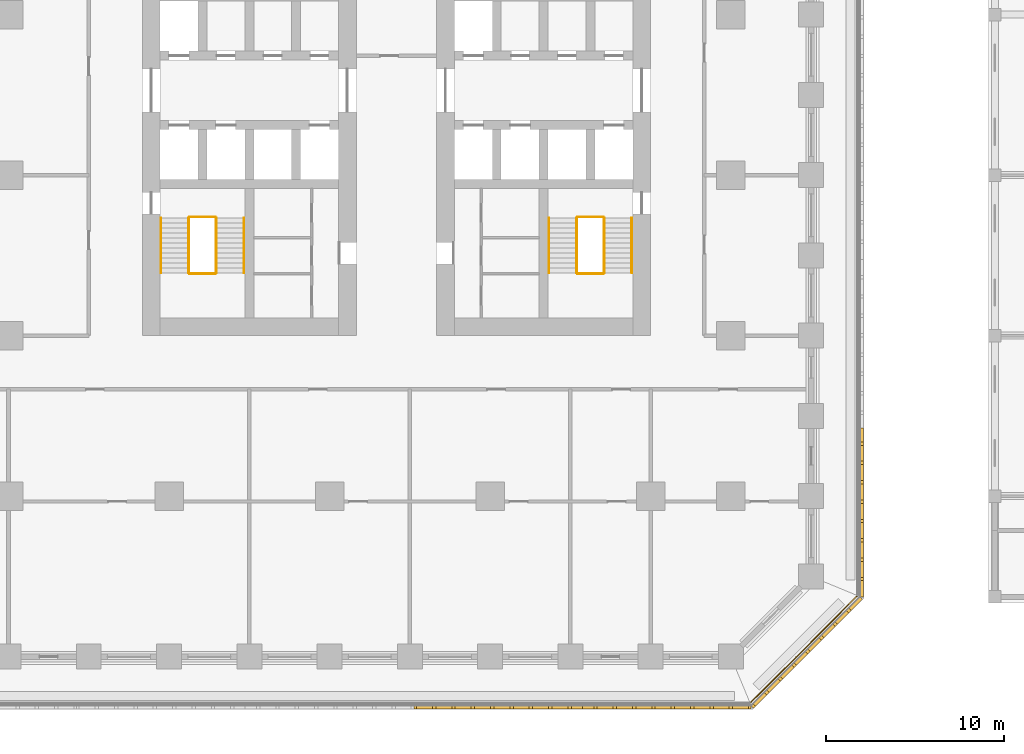
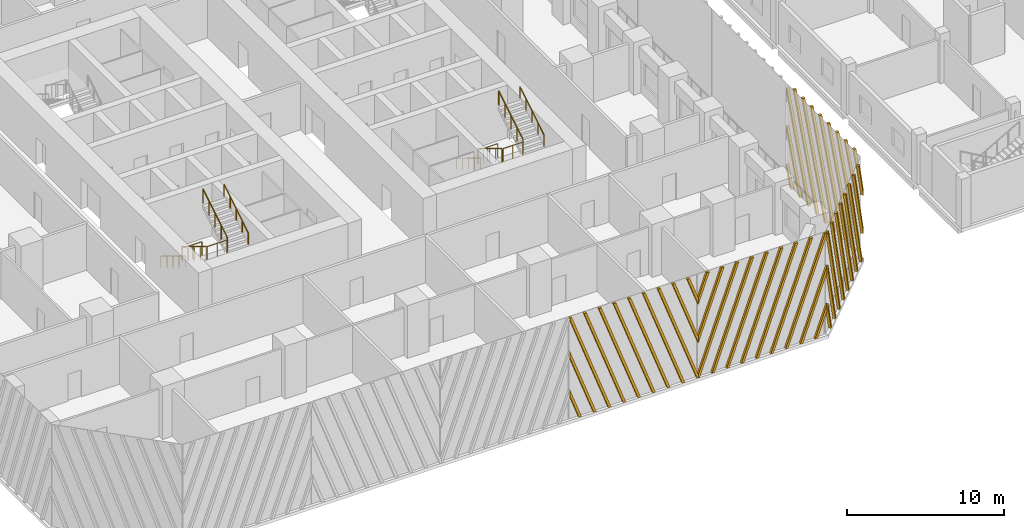
# One storey, part 22 of 31: 13 railings, 4 shading devices.
"""IFC4 building model written with IfcOpenShell, lengths in metres."""

from ifc_helpers import new_model, si_unit, direction, frame, origin, origin_2d, place, context, subcontext, project, spatial, polyline, circle, outline, extrude, source, transform, mapped, material, type_object, element, save


model = new_model("IFC4")

# Units and contexts
model_context = context("Model", 3, precision=1e-05, world=origin(), true_north=direction((0.0, 1.0)))
body_context = subcontext(model_context, "Body", "Model", "MODEL_VIEW")
ifc_project = project(units=[si_unit("LENGTHUNIT", "METRE"), si_unit("AREAUNIT", "SQUARE_METRE"), si_unit("VOLUMEUNIT", "CUBIC_METRE"), si_unit("PLANEANGLEUNIT", "RADIAN"), si_unit("MASSUNIT", "GRAM", prefix="KILO")], contexts=[model_context])

# Site, building, storey
site_placement = place(None, origin())
site = spatial("IfcSite", under=ifc_project, at=site_placement, CompositionType="ELEMENT")
building_placement = place(site_placement, origin())
building = spatial("IfcBuilding", under=site, at=building_placement, Name="Corbel Stack Research Tower", CompositionType="ELEMENT")
storey_placement = place(building_placement, frame((0.0, 0.0, 15.39990234375)))
storey = spatial("IfcBuildingStorey", under=building, at=storey_placement, Name="L03", CompositionType="ELEMENT", Elevation=15.39990234375)

# Railings
ifc_material_1 = material(Name="Steel S355", Category="steel")
railing_type_1 = type_object("IfcRailingType", Name="Stair guard 1100", PredefinedType="GUARDRAIL", material=ifc_material_1)
railing_1_placement = place(storey_placement, frame((-7.89990234375, -2.39990234375, 0.1708984375)))
element("IfcRailing", 1, at=railing_1_placement, inside=storey, type_object=railing_type_1, Name="L03 ST-W1 stair guard 1", PredefinedType="GUARDRAIL", context=body_context, shape_type="SweptSolid", body=[
    extrude(circle(Radius=0.02392578125, at=origin_2d()), frame((0.0, 0.0, 1.076171875), z_axis=(0.0, -0.853666305674, 0.52082035152), x_axis=(1.0, 0.0, 0.0)), (0.0, 0.0, 1.0), 3.608154296875),
    extrude(circle(Radius=0.02099609375, at=origin_2d()), origin(), (0.0, 0.0, 1.0), 1.052001953125),
    extrude(circle(Radius=0.02099609375, at=origin_2d()), frame((0.0, -0.77001953125, 0.4697265625)), (0.0, 0.0, 1.0), 1.052001953125),
    extrude(circle(Radius=0.02099609375, at=origin_2d()), frame((0.0, -1.5400390625, 0.939453125)), (0.0, 0.0, 1.0), 1.052001953125),
    extrude(circle(Radius=0.02099609375, at=origin_2d()), frame((0.0, -2.31005859375, 1.409423828125)), (0.0, 0.0, 1.0), 1.052001953125),
    extrude(circle(Radius=0.02099609375, at=origin_2d()), frame((0.0, -3.080078125, 1.879150390625)), (0.0, 0.0, 1.0), 1.052001953125),
])
railing_2_placement = place(storey_placement, frame((-7.85009765625, -5.530029296875, 2.050048828125)))
element("IfcRailing", 2, at=railing_2_placement, inside=storey, type_object=railing_type_1, Name="L03 ST-W1 stair guard 2", PredefinedType="GUARDRAIL", context=body_context, shape_type="SweptSolid", body=[
    extrude(circle(Radius=0.02392578125, at=origin_2d()), frame((0.0, 0.0, 1.076171875), z_axis=(1.0, 0.0, 0.0), x_axis=(0.0, 1.0, 0.0)), (0.0, 0.0, 1.0), 1.4501953125),
    extrude(circle(Radius=0.02099609375, at=origin_2d()), origin(), (0.0, 0.0, 1.0), 1.052001953125),
    extrude(circle(Radius=0.02099609375, at=origin_2d()), frame((0.72509765625, 0.0, 0.0)), (0.0, 0.0, 1.0), 1.052001953125),
    extrude(circle(Radius=0.02099609375, at=origin_2d()), frame((1.4501953125, 0.0, 0.0)), (0.0, 0.0, 1.0), 1.052001953125),
])
railing_3_placement = place(storey_placement, frame((-6.35009765625, -5.47998046875, 2.220947265625)))
element("IfcRailing", 3, at=railing_3_placement, inside=storey, type_object=railing_type_1, Name="L03 ST-W1 stair guard 3", PredefinedType="GUARDRAIL", context=body_context, shape_type="SweptSolid", body=[
    extrude(circle(Radius=0.02392578125, at=origin_2d()), frame((0.0, 0.0, 1.076171875), z_axis=(0.0, 0.853666305674, 0.52082035152), x_axis=(-1.0, 0.0, 0.0)), (0.0, 0.0, 1.0), 3.608154296875),
    extrude(circle(Radius=0.02099609375, at=origin_2d()), origin(), (0.0, 0.0, 1.0), 1.052001953125),
    extrude(circle(Radius=0.02099609375, at=origin_2d()), frame((0.0, 0.77001953125, 0.4697265625)), (0.0, 0.0, 1.0), 1.052001953125),
    extrude(circle(Radius=0.02099609375, at=origin_2d()), frame((0.0, 1.5400390625, 0.939453125)), (0.0, 0.0, 1.0), 1.052001953125),
    extrude(circle(Radius=0.02099609375, at=origin_2d()), frame((0.0, 2.31005859375, 1.409423828125)), (0.0, 0.0, 1.0), 1.052001953125),
    extrude(circle(Radius=0.02099609375, at=origin_2d()), frame((0.0, 3.080078125, 1.879150390625)), (0.0, 0.0, 1.0), 1.052001953125),
])
railing_4_placement = place(storey_placement, frame((-7.85009765625, -2.35009765625, 0.0)))
element("IfcRailing", 4, at=railing_4_placement, inside=storey, type_object=railing_type_1, Name="L03 ST-W1 stair guard 4", PredefinedType="GUARDRAIL", context=body_context, shape_type="SweptSolid", body=[
    extrude(circle(Radius=0.02392578125, at=origin_2d()), frame((0.0, 0.0, 1.076171875), z_axis=(1.0, 0.0, 0.0), x_axis=(0.0, 1.0, 0.0)), (0.0, 0.0, 1.0), 1.4501953125),
    extrude(circle(Radius=0.02099609375, at=origin_2d()), origin(), (0.0, 0.0, 1.0), 1.052001953125),
    extrude(circle(Radius=0.02099609375, at=origin_2d()), frame((0.72509765625, 0.0, 0.0)), (0.0, 0.0, 1.0), 1.052001953125),
    extrude(circle(Radius=0.02099609375, at=origin_2d()), frame((1.4501953125, 0.0, 0.0)), (0.0, 0.0, 1.0), 1.052001953125),
])
railing_5_placement = place(storey_placement, frame((13.85009765625, -2.39990234375, 0.1708984375)))
element("IfcRailing", 5, at=railing_5_placement, inside=storey, type_object=railing_type_1, Name="L03 ST-E1 stair guard 1", PredefinedType="GUARDRAIL", context=body_context, shape_type="SweptSolid", body=[
    extrude(circle(Radius=0.02392578125, at=origin_2d()), frame((0.0, 0.0, 1.076171875), z_axis=(0.0, -0.853666305674, 0.52082035152), x_axis=(1.0, 0.0, 0.0)), (0.0, 0.0, 1.0), 3.608154296875),
    extrude(circle(Radius=0.02099609375, at=origin_2d()), origin(), (0.0, 0.0, 1.0), 1.052001953125),
    extrude(circle(Radius=0.02099609375, at=origin_2d()), frame((0.0, -0.77001953125, 0.4697265625)), (0.0, 0.0, 1.0), 1.052001953125),
    extrude(circle(Radius=0.02099609375, at=origin_2d()), frame((0.0, -1.5400390625, 0.939453125)), (0.0, 0.0, 1.0), 1.052001953125),
    extrude(circle(Radius=0.02099609375, at=origin_2d()), frame((0.0, -2.31005859375, 1.409423828125)), (0.0, 0.0, 1.0), 1.052001953125),
    extrude(circle(Radius=0.02099609375, at=origin_2d()), frame((0.0, -3.080078125, 1.879150390625)), (0.0, 0.0, 1.0), 1.052001953125),
])
railing_6_placement = place(storey_placement, frame((13.89990234375, -5.530029296875, 2.050048828125)))
element("IfcRailing", 6, at=railing_6_placement, inside=storey, type_object=railing_type_1, Name="L03 ST-E1 stair guard 2", PredefinedType="GUARDRAIL", context=body_context, shape_type="SweptSolid", body=[
    extrude(circle(Radius=0.02392578125, at=origin_2d()), frame((0.0, 0.0, 1.076171875), z_axis=(1.0, 0.0, 0.0), x_axis=(0.0, 1.0, 0.0)), (0.0, 0.0, 1.0), 1.4501953125),
    extrude(circle(Radius=0.02099609375, at=origin_2d()), origin(), (0.0, 0.0, 1.0), 1.052001953125),
    extrude(circle(Radius=0.02099609375, at=origin_2d()), frame((0.72509765625, 0.0, 0.0)), (0.0, 0.0, 1.0), 1.052001953125),
    extrude(circle(Radius=0.02099609375, at=origin_2d()), frame((1.4501953125, 0.0, 0.0)), (0.0, 0.0, 1.0), 1.052001953125),
])
railing_7_placement = place(storey_placement, frame((15.39990234375, -5.47998046875, 2.220947265625)))
element("IfcRailing", 7, at=railing_7_placement, inside=storey, type_object=railing_type_1, Name="L03 ST-E1 stair guard 3", PredefinedType="GUARDRAIL", context=body_context, shape_type="SweptSolid", body=[
    extrude(circle(Radius=0.02392578125, at=origin_2d()), frame((0.0, 0.0, 1.076171875), z_axis=(0.0, 0.853666305674, 0.52082035152), x_axis=(-1.0, 0.0, 0.0)), (0.0, 0.0, 1.0), 3.608154296875),
    extrude(circle(Radius=0.02099609375, at=origin_2d()), origin(), (0.0, 0.0, 1.0), 1.052001953125),
    extrude(circle(Radius=0.02099609375, at=origin_2d()), frame((0.0, 0.77001953125, 0.4697265625)), (0.0, 0.0, 1.0), 1.052001953125),
    extrude(circle(Radius=0.02099609375, at=origin_2d()), frame((0.0, 1.5400390625, 0.939453125)), (0.0, 0.0, 1.0), 1.052001953125),
    extrude(circle(Radius=0.02099609375, at=origin_2d()), frame((0.0, 2.31005859375, 1.409423828125)), (0.0, 0.0, 1.0), 1.052001953125),
    extrude(circle(Radius=0.02099609375, at=origin_2d()), frame((0.0, 3.080078125, 1.879150390625)), (0.0, 0.0, 1.0), 1.052001953125),
])
railing_8_placement = place(storey_placement, frame((13.89990234375, -2.35009765625, 0.0)))
element("IfcRailing", 8, at=railing_8_placement, inside=storey, type_object=railing_type_1, Name="L03 ST-E1 stair guard 4", PredefinedType="GUARDRAIL", context=body_context, shape_type="SweptSolid", body=[
    extrude(circle(Radius=0.02392578125, at=origin_2d()), frame((0.0, 0.0, 1.076171875), z_axis=(1.0, 0.0, 0.0), x_axis=(0.0, 1.0, 0.0)), (0.0, 0.0, 1.0), 1.4501953125),
    extrude(circle(Radius=0.02099609375, at=origin_2d()), origin(), (0.0, 0.0, 1.0), 1.052001953125),
    extrude(circle(Radius=0.02099609375, at=origin_2d()), frame((0.72509765625, 0.0, 0.0)), (0.0, 0.0, 1.0), 1.052001953125),
    extrude(circle(Radius=0.02099609375, at=origin_2d()), frame((1.4501953125, 0.0, 0.0)), (0.0, 0.0, 1.0), 1.052001953125),
])
ifc_material_2 = material(Name="Steel S355", Category="steel")
railing_type_2 = type_object("IfcRailingType", Name="Stair handrail 900", PredefinedType="HANDRAIL", material=ifc_material_2)
railing_9_placement = place(storey_placement, frame((-9.449951171875, -2.39990234375, 0.1708984375)))
element("IfcRailing", 9, at=railing_9_placement, inside=storey, type_object=railing_type_2, Name="L03 ST-W1 stair handrail 1", PredefinedType="HANDRAIL", context=body_context, shape_type="SweptSolid", body=[
    extrude(circle(Radius=0.02392578125, at=origin_2d()), frame((0.0, 0.0, 0.8759765625), z_axis=(0.0, -0.853666305674, 0.52082035152), x_axis=(1.0, 0.0, 0.0)), (0.0, 0.0, 1.0), 3.608154296875),
    extrude(circle(Radius=0.02099609375, at=origin_2d()), origin(), (0.0, 0.0, 1.0), 0.851806640625),
    extrude(circle(Radius=0.02099609375, at=origin_2d()), frame((0.0, -0.77001953125, 0.4697265625)), (0.0, 0.0, 1.0), 0.851806640625),
    extrude(circle(Radius=0.02099609375, at=origin_2d()), frame((0.0, -1.5400390625, 0.939453125)), (0.0, 0.0, 1.0), 0.851806640625),
    extrude(circle(Radius=0.02099609375, at=origin_2d()), frame((0.0, -2.31005859375, 1.409423828125)), (0.0, 0.0, 1.0), 0.851806640625),
    extrude(circle(Radius=0.02099609375, at=origin_2d()), frame((0.0, -3.080078125, 1.879150390625)), (0.0, 0.0, 1.0), 0.851806640625),
])
railing_10_placement = place(storey_placement, frame((-4.800048828125, -5.47998046875, 2.220947265625)))
element("IfcRailing", 10, at=railing_10_placement, inside=storey, type_object=railing_type_2, Name="L03 ST-W1 stair handrail 2", PredefinedType="HANDRAIL", context=body_context, shape_type="SweptSolid", body=[
    extrude(circle(Radius=0.02392578125, at=origin_2d()), frame((0.0, 0.0, 0.8759765625), z_axis=(0.0, 0.853666305674, 0.52082035152), x_axis=(-1.0, 0.0, 0.0)), (0.0, 0.0, 1.0), 3.608154296875),
    extrude(circle(Radius=0.02099609375, at=origin_2d()), origin(), (0.0, 0.0, 1.0), 0.851806640625),
    extrude(circle(Radius=0.02099609375, at=origin_2d()), frame((0.0, 0.77001953125, 0.4697265625)), (0.0, 0.0, 1.0), 0.851806640625),
    extrude(circle(Radius=0.02099609375, at=origin_2d()), frame((0.0, 1.5400390625, 0.939453125)), (0.0, 0.0, 1.0), 0.851806640625),
    extrude(circle(Radius=0.02099609375, at=origin_2d()), frame((0.0, 2.31005859375, 1.409423828125)), (0.0, 0.0, 1.0), 0.851806640625),
    extrude(circle(Radius=0.02099609375, at=origin_2d()), frame((0.0, 3.080078125, 1.879150390625)), (0.0, 0.0, 1.0), 0.851806640625),
])
railing_11_placement = place(storey_placement, frame((12.300048828125, -2.39990234375, 0.1708984375)))
element("IfcRailing", 11, at=railing_11_placement, inside=storey, type_object=railing_type_2, Name="L03 ST-E1 stair handrail 1", PredefinedType="HANDRAIL", context=body_context, shape_type="SweptSolid", body=[
    extrude(circle(Radius=0.02392578125, at=origin_2d()), frame((0.0, 0.0, 0.8759765625), z_axis=(0.0, -0.853666305674, 0.52082035152), x_axis=(1.0, 0.0, 0.0)), (0.0, 0.0, 1.0), 3.608154296875),
    extrude(circle(Radius=0.02099609375, at=origin_2d()), origin(), (0.0, 0.0, 1.0), 0.851806640625),
    extrude(circle(Radius=0.02099609375, at=origin_2d()), frame((0.0, -0.77001953125, 0.4697265625)), (0.0, 0.0, 1.0), 0.851806640625),
    extrude(circle(Radius=0.02099609375, at=origin_2d()), frame((0.0, -1.5400390625, 0.939453125)), (0.0, 0.0, 1.0), 0.851806640625),
    extrude(circle(Radius=0.02099609375, at=origin_2d()), frame((0.0, -2.31005859375, 1.409423828125)), (0.0, 0.0, 1.0), 0.851806640625),
    extrude(circle(Radius=0.02099609375, at=origin_2d()), frame((0.0, -3.080078125, 1.879150390625)), (0.0, 0.0, 1.0), 0.851806640625),
])
railing_12_placement = place(storey_placement, frame((16.949951171875, -5.47998046875, 2.220947265625)))
element("IfcRailing", 12, at=railing_12_placement, inside=storey, type_object=railing_type_2, Name="L03 ST-E1 stair handrail 2", PredefinedType="HANDRAIL", context=body_context, shape_type="SweptSolid", body=[
    extrude(circle(Radius=0.02392578125, at=origin_2d()), frame((0.0, 0.0, 0.8759765625), z_axis=(0.0, 0.853666305674, 0.52082035152), x_axis=(-1.0, 0.0, 0.0)), (0.0, 0.0, 1.0), 3.608154296875),
    extrude(circle(Radius=0.02099609375, at=origin_2d()), origin(), (0.0, 0.0, 1.0), 0.851806640625),
    extrude(circle(Radius=0.02099609375, at=origin_2d()), frame((0.0, 0.77001953125, 0.4697265625)), (0.0, 0.0, 1.0), 0.851806640625),
    extrude(circle(Radius=0.02099609375, at=origin_2d()), frame((0.0, 1.5400390625, 0.939453125)), (0.0, 0.0, 1.0), 0.851806640625),
    extrude(circle(Radius=0.02099609375, at=origin_2d()), frame((0.0, 2.31005859375, 1.409423828125)), (0.0, 0.0, 1.0), 0.851806640625),
    extrude(circle(Radius=0.02099609375, at=origin_2d()), frame((0.0, 3.080078125, 1.879150390625)), (0.0, 0.0, 1.0), 0.851806640625),
])
ifc_material_3 = material(Name="Powder-coated steel guard", Category="steel")
railing_type_3 = type_object("IfcRailingType", Name="Steel and glass guard 1100", PredefinedType="GUARDRAIL", material=ifc_material_3)
railing_13_placement = place(storey_placement, frame((23.627685546875, -29.54931640625, 0.0)))
element("IfcRailing", 13, at=railing_13_placement, inside=storey, type_object=railing_type_3, Name="Loggia guard L03 SE", PredefinedType="GUARDRAIL", context=body_context, shape_type="SweptSolid", body=[
    extrude(circle(Radius=0.02392578125, at=origin_2d()), frame((0.0, 0.0, 1.076171875), z_axis=(0.707106781187, 0.707106781187, 0.0), x_axis=(-0.707106781187, 0.707106781187, 0.0)), (0.0, 0.0, 1.0), 8.37451171875),
    extrude(circle(Radius=0.02099609375, at=origin_2d()), origin(), (0.0, 0.0, 1.0), 1.052001953125),
    extrude(circle(Radius=0.02099609375, at=origin_2d()), frame((0.845947265625, 0.845947265625, 0.0)), (0.0, 0.0, 1.0), 1.052001953125),
    extrude(circle(Radius=0.02099609375, at=origin_2d()), frame((1.69189453125, 1.69189453125, 0.0)), (0.0, 0.0, 1.0), 1.052001953125),
    extrude(circle(Radius=0.02099609375, at=origin_2d()), frame((2.537841796875, 2.537841796875, 0.0)), (0.0, 0.0, 1.0), 1.052001953125),
    extrude(circle(Radius=0.02099609375, at=origin_2d()), frame((3.3837890625, 3.3837890625, 0.0)), (0.0, 0.0, 1.0), 1.052001953125),
    extrude(circle(Radius=0.02099609375, at=origin_2d()), frame((4.229736328125, 4.229736328125, 0.0)), (0.0, 0.0, 1.0), 1.052001953125),
    extrude(circle(Radius=0.02099609375, at=origin_2d()), frame((5.07568359375, 5.07568359375, 0.0)), (0.0, 0.0, 1.0), 1.052001953125),
    extrude(circle(Radius=0.02099609375, at=origin_2d()), frame((5.921630859375, 5.921630859375, 0.0)), (0.0, 0.0, 1.0), 1.052001953125),
])

# Shading devices
ifc_material_4 = material(Name="Precast terracotta", Category="masonry")
shading_device_type = type_object("IfcShadingDeviceType", Name="Terracotta screen panel", PredefinedType="USERDEFINED", material=ifc_material_4)
shared_shape_1 = source(origin(), body_context, "Body", "SweptSolid", [
    extrude(outline(polyline([(0.819091796875, 7.949951171875), (0.629150390625, 7.949951171875), (0.0, 6.22119140625), (0.0, 5.69921875), (0.819091796875, 7.949951171875)])), frame((0.0, 0.0, 0.0), z_axis=(0.0, -1.0, 0.0), x_axis=(1.0, 0.0, 0.0)), (0.0, 0.0, 1.0), 0.179931640625),
    extrude(outline(polyline([(1.90380859375, 7.949951171875), (1.7138671875, 7.949951171875), (0.0, 3.2412109375), (0.0, 2.718994140625), (1.90380859375, 7.949951171875)])), frame((0.0, 0.0, 0.0), z_axis=(0.0, -1.0, 0.0), x_axis=(1.0, 0.0, 0.0)), (0.0, 0.0, 1.0), 0.179931640625),
    extrude(outline(polyline([(0.094970703125, 0.0), (2.988525390625, 7.949951171875), (2.798583984375, 7.949951171875), (0.0, 0.260986328125), (0.0, 0.0), (0.094970703125, 0.0)])), frame((0.0, 0.0, 0.0), z_axis=(0.0, -1.0, 0.0), x_axis=(1.0, 0.0, 0.0)), (0.0, 0.0, 1.0), 0.179931640625),
    extrude(outline(polyline([(1.1796875, 0.0), (4.0732421875, 7.949951171875), (3.88330078125, 7.949951171875), (0.98974609375, 0.0), (1.1796875, 0.0)])), frame((0.0, 0.0, 0.0), z_axis=(0.0, -1.0, 0.0), x_axis=(1.0, 0.0, 0.0)), (0.0, 0.0, 1.0), 0.179931640625),
    extrude(outline(polyline([(2.264404296875, 0.0), (5.157958984375, 7.949951171875), (4.968017578125, 7.949951171875), (2.07421875, 0.0), (2.264404296875, 0.0)])), frame((0.0, 0.0, 0.0), z_axis=(0.0, -1.0, 0.0), x_axis=(1.0, 0.0, 0.0)), (0.0, 0.0, 1.0), 0.179931640625),
    extrude(outline(polyline([(3.34912109375, 0.0), (6.24267578125, 7.949951171875), (6.052490234375, 7.949951171875), (3.158935546875, 0.0), (3.34912109375, 0.0)])), frame((0.0, 0.0, 0.0), z_axis=(0.0, -1.0, 0.0), x_axis=(1.0, 0.0, 0.0)), (0.0, 0.0, 1.0), 0.179931640625),
    extrude(outline(polyline([(4.43359375, 0.0), (7.3271484375, 7.949951171875), (7.13720703125, 7.949951171875), (4.24365234375, 0.0), (4.43359375, 0.0)])), frame((0.0, 0.0, 0.0), z_axis=(0.0, -1.0, 0.0), x_axis=(1.0, 0.0, 0.0)), (0.0, 0.0, 1.0), 0.179931640625),
    extrude(outline(polyline([(5.518310546875, 0.0), (8.411865234375, 7.949951171875), (8.221923828125, 7.949951171875), (5.328369140625, 0.0), (5.518310546875, 0.0)])), frame((0.0, 0.0, 0.0), z_axis=(0.0, -1.0, 0.0), x_axis=(1.0, 0.0, 0.0)), (0.0, 0.0, 1.0), 0.179931640625),
    extrude(outline(polyline([(6.60302734375, 0.0), (9.45556640625, 7.837646484375), (9.45556640625, 7.949951171875), (9.306640625, 7.949951171875), (6.4130859375, 0.0), (6.60302734375, 0.0)])), frame((0.0, 0.0, 0.0), z_axis=(0.0, -1.0, 0.0), x_axis=(1.0, 0.0, 0.0)), (0.0, 0.0, 1.0), 0.179931640625),
    extrude(outline(polyline([(7.687744140625, 0.0), (9.45556640625, 4.857421875), (9.45556640625, 5.37939453125), (7.497802734375, 0.0), (7.687744140625, 0.0)])), frame((0.0, 0.0, 0.0), z_axis=(0.0, -1.0, 0.0), x_axis=(1.0, 0.0, 0.0)), (0.0, 0.0, 1.0), 0.179931640625),
    extrude(outline(polyline([(8.772216796875, 0.0), (9.45556640625, 1.87744140625), (9.45556640625, 2.3994140625), (8.582275390625, 0.0), (8.772216796875, 0.0)])), frame((0.0, 0.0, 0.0), z_axis=(0.0, -1.0, 0.0), x_axis=(1.0, 0.0, 0.0)), (0.0, 0.0, 1.0), 0.179931640625),
])
shading_device_1_placement = place(storey_placement, frame((14.18359375, -29.75, 0.0), z_axis=(0.0, 0.0, 1.0), x_axis=(1.0, 0.0, 0.0)))
element("IfcShadingDevice", 14, at=shading_device_1_placement, inside=storey, type_object=shading_device_type, Name="Terracotta screen L03 S5", ObjectType="SCREEN", PredefinedType="USERDEFINED", context=body_context, shape_type="MappedRepresentation", body=[
    mapped(shared_shape_1, transform((0.0, 0.0, 0.0))),
])
shared_shape_2 = source(origin(), body_context, "Body", "SweptSolid", [
    extrude(outline(polyline([(0.873291015625, 0.0), (0.0, 2.3994140625), (0.0, 1.87744140625), (0.683349609375, 0.0), (0.873291015625, 0.0)])), frame((0.0, 0.0, 0.0), z_axis=(0.0, -1.0, 0.0), x_axis=(1.0, 0.0, 0.0)), (0.0, 0.0, 1.0), 0.179931640625),
    extrude(outline(polyline([(1.9580078125, 0.0), (0.0, 5.37939453125), (0.0, 4.857421875), (1.76806640625, 0.0), (1.9580078125, 0.0)])), frame((0.0, 0.0, 0.0), z_axis=(0.0, -1.0, 0.0), x_axis=(1.0, 0.0, 0.0)), (0.0, 0.0, 1.0), 0.179931640625),
    extrude(outline(polyline([(3.04248046875, 0.0), (0.149169921875, 7.949951171875), (0.0, 7.949951171875), (0.0, 7.837646484375), (2.8525390625, 0.0), (3.04248046875, 0.0)])), frame((0.0, 0.0, 0.0), z_axis=(0.0, -1.0, 0.0), x_axis=(1.0, 0.0, 0.0)), (0.0, 0.0, 1.0), 0.179931640625),
    extrude(outline(polyline([(4.127197265625, 0.0), (1.233642578125, 7.949951171875), (1.043701171875, 7.949951171875), (3.937255859375, 0.0), (4.127197265625, 0.0)])), frame((0.0, 0.0, 0.0), z_axis=(0.0, -1.0, 0.0), x_axis=(1.0, 0.0, 0.0)), (0.0, 0.0, 1.0), 0.179931640625),
    extrude(outline(polyline([(5.2119140625, 0.0), (2.318359375, 7.949951171875), (2.12841796875, 7.949951171875), (5.02197265625, 0.0), (5.2119140625, 0.0)])), frame((0.0, 0.0, 0.0), z_axis=(0.0, -1.0, 0.0), x_axis=(1.0, 0.0, 0.0)), (0.0, 0.0, 1.0), 0.179931640625),
    extrude(outline(polyline([(6.296630859375, 0.0), (3.403076171875, 7.949951171875), (3.213134765625, 7.949951171875), (6.106689453125, 0.0), (6.296630859375, 0.0)])), frame((0.0, 0.0, 0.0), z_axis=(0.0, -1.0, 0.0), x_axis=(1.0, 0.0, 0.0)), (0.0, 0.0, 1.0), 0.179931640625),
    extrude(outline(polyline([(7.38134765625, 0.0), (4.48779296875, 7.949951171875), (4.297607421875, 7.949951171875), (7.19140625, 0.0), (7.38134765625, 0.0)])), frame((0.0, 0.0, 0.0), z_axis=(0.0, -1.0, 0.0), x_axis=(1.0, 0.0, 0.0)), (0.0, 0.0, 1.0), 0.179931640625),
    extrude(outline(polyline([(8.466064453125, 0.0), (5.572509765625, 7.949951171875), (5.38232421875, 7.949951171875), (8.27587890625, 0.0), (8.466064453125, 0.0)])), frame((0.0, 0.0, 0.0), z_axis=(0.0, -1.0, 0.0), x_axis=(1.0, 0.0, 0.0)), (0.0, 0.0, 1.0), 0.179931640625),
    extrude(outline(polyline([(9.45556640625, 0.0), (9.45556640625, 0.260986328125), (6.656982421875, 7.949951171875), (6.467041015625, 7.949951171875), (9.360595703125, 0.0), (9.45556640625, 0.0)])), frame((0.0, 0.0, 0.0), z_axis=(0.0, -1.0, 0.0), x_axis=(1.0, 0.0, 0.0)), (0.0, 0.0, 1.0), 0.179931640625),
    extrude(outline(polyline([(7.74169921875, 7.949951171875), (7.5517578125, 7.949951171875), (9.45556640625, 2.718994140625), (9.45556640625, 3.2412109375), (7.74169921875, 7.949951171875)])), frame((0.0, 0.0, 0.0), z_axis=(0.0, -1.0, 0.0), x_axis=(1.0, 0.0, 0.0)), (0.0, 0.0, 1.0), 0.179931640625),
    extrude(outline(polyline([(8.826416015625, 7.949951171875), (8.636474609375, 7.949951171875), (9.45556640625, 5.69921875), (9.45556640625, 6.22119140625), (8.826416015625, 7.949951171875)])), frame((0.0, 0.0, 0.0), z_axis=(0.0, -1.0, 0.0), x_axis=(1.0, 0.0, 0.0)), (0.0, 0.0, 1.0), 0.179931640625),
])
shading_device_2_placement = place(storey_placement, frame((4.727783203125, -29.75, 0.0), z_axis=(0.0, 0.0, 1.0), x_axis=(1.0, 0.0, 0.0)))
element("IfcShadingDevice", 15, at=shading_device_2_placement, inside=storey, type_object=shading_device_type, Name="Terracotta screen L03 S4", ObjectType="SCREEN", PredefinedType="USERDEFINED", context=body_context, shape_type="MappedRepresentation", body=[
    mapped(shared_shape_2, transform((0.0, 0.0, 0.0))),
])
shared_shape_3 = source(origin(), body_context, "Body", "SweptSolid", [
    extrude(outline(polyline([(1.09033203125, 7.949951171875), (0.900390625, 7.949951171875), (0.0, 5.476318359375), (0.0, 4.9541015625), (1.09033203125, 7.949951171875)])), frame((0.0, 0.0, 0.0), z_axis=(0.0, -1.0, 0.0), x_axis=(1.0, 0.0, 0.0)), (0.0, 0.0, 1.0), 0.179931640625),
    extrude(outline(polyline([(2.175048828125, 7.949951171875), (1.985107421875, 7.949951171875), (0.0, 2.49609375), (0.0, 1.97412109375), (2.175048828125, 7.949951171875)])), frame((0.0, 0.0, 0.0), z_axis=(0.0, -1.0, 0.0), x_axis=(1.0, 0.0, 0.0)), (0.0, 0.0, 1.0), 0.179931640625),
    extrude(outline(polyline([(0.3662109375, 0.0), (3.259765625, 7.949951171875), (3.069580078125, 7.949951171875), (0.17626953125, 0.0), (0.3662109375, 0.0)])), frame((0.0, 0.0, 0.0), z_axis=(0.0, -1.0, 0.0), x_axis=(1.0, 0.0, 0.0)), (0.0, 0.0, 1.0), 0.179931640625),
    extrude(outline(polyline([(1.45068359375, 0.0), (4.344482421875, 7.949951171875), (4.154296875, 7.949951171875), (1.2607421875, 0.0), (1.45068359375, 0.0)])), frame((0.0, 0.0, 0.0), z_axis=(0.0, -1.0, 0.0), x_axis=(1.0, 0.0, 0.0)), (0.0, 0.0, 1.0), 0.179931640625),
    extrude(outline(polyline([(2.535400390625, 0.0), (5.42919921875, 7.949951171875), (5.239013671875, 7.949951171875), (2.345458984375, 0.0), (2.535400390625, 0.0)])), frame((0.0, 0.0, 0.0), z_axis=(0.0, -1.0, 0.0), x_axis=(1.0, 0.0, 0.0)), (0.0, 0.0, 1.0), 0.179931640625),
    extrude(outline(polyline([(3.6201171875, 0.0), (6.513671875, 7.949951171875), (6.32373046875, 7.949951171875), (3.43017578125, 0.0), (3.6201171875, 0.0)])), frame((0.0, 0.0, 0.0), z_axis=(0.0, -1.0, 0.0), x_axis=(1.0, 0.0, 0.0)), (0.0, 0.0, 1.0), 0.179931640625),
    extrude(outline(polyline([(4.704833984375, 0.0), (7.598388671875, 7.949951171875), (7.408447265625, 7.949951171875), (4.514892578125, 0.0), (4.704833984375, 0.0)])), frame((0.0, 0.0, 0.0), z_axis=(0.0, -1.0, 0.0), x_axis=(1.0, 0.0, 0.0)), (0.0, 0.0, 1.0), 0.179931640625),
    extrude(outline(polyline([(5.78955078125, 0.0), (8.68310546875, 7.949951171875), (8.4931640625, 7.949951171875), (5.599609375, 0.0), (5.78955078125, 0.0)])), frame((0.0, 0.0, 0.0), z_axis=(0.0, -1.0, 0.0), x_axis=(1.0, 0.0, 0.0)), (0.0, 0.0, 1.0), 0.179931640625),
    extrude(outline(polyline([(6.874267578125, 0.0), (9.45556640625, 7.092529296875), (9.45556640625, 7.614501953125), (6.68408203125, 0.0), (6.874267578125, 0.0)])), frame((0.0, 0.0, 0.0), z_axis=(0.0, -1.0, 0.0), x_axis=(1.0, 0.0, 0.0)), (0.0, 0.0, 1.0), 0.179931640625),
    extrude(outline(polyline([(7.958740234375, 0.0), (9.45556640625, 4.1123046875), (9.45556640625, 4.634521484375), (7.768798828125, 0.0), (7.958740234375, 0.0)])), frame((0.0, 0.0, 0.0), z_axis=(0.0, -1.0, 0.0), x_axis=(1.0, 0.0, 0.0)), (0.0, 0.0, 1.0), 0.179931640625),
    extrude(outline(polyline([(9.04345703125, 0.0), (9.45556640625, 1.13232421875), (9.45556640625, 1.654296875), (8.853515625, 0.0), (9.04345703125, 0.0)])), frame((0.0, 0.0, 0.0), z_axis=(0.0, -1.0, 0.0), x_axis=(1.0, 0.0, 0.0)), (0.0, 0.0, 1.0), 0.179931640625),
])
shading_device_3_placement = place(storey_placement, frame((29.75, -23.63916015625, 0.0), z_axis=(0.0, 0.0, 1.0), x_axis=(0.0, 1.0, 0.0)))
element("IfcShadingDevice", 16, at=shading_device_3_placement, inside=storey, type_object=shading_device_type, Name="Terracotta screen L03 E1", ObjectType="SCREEN", PredefinedType="USERDEFINED", context=body_context, shape_type="MappedRepresentation", body=[
    mapped(shared_shape_3, transform((0.0, 0.0, 0.0))),
])
shared_shape_4 = source(origin(), body_context, "Body", "SweptSolid", [
    extrude(outline(polyline([(0.873291015625, 0.0), (0.0, 2.3994140625), (0.0, 1.87744140625), (0.683349609375, 0.0), (0.873291015625, 0.0)])), frame((0.0, 0.0, 0.0), z_axis=(0.0, -1.0, 0.0), x_axis=(1.0, 0.0, 0.0)), (0.0, 0.0, 1.0), 0.179931640625),
    extrude(outline(polyline([(1.9580078125, 0.0), (0.0, 5.37939453125), (0.0, 4.857421875), (1.76806640625, 0.0), (1.9580078125, 0.0)])), frame((0.0, 0.0, 0.0), z_axis=(0.0, -1.0, 0.0), x_axis=(1.0, 0.0, 0.0)), (0.0, 0.0, 1.0), 0.179931640625),
    extrude(outline(polyline([(3.04248046875, 0.0), (0.149169921875, 7.949951171875), (0.0, 7.949951171875), (0.0, 7.837646484375), (2.8525390625, 0.0), (3.04248046875, 0.0)])), frame((0.0, 0.0, 0.0), z_axis=(0.0, -1.0, 0.0), x_axis=(1.0, 0.0, 0.0)), (0.0, 0.0, 1.0), 0.179931640625),
    extrude(outline(polyline([(4.127197265625, 0.0), (1.233642578125, 7.949951171875), (1.043701171875, 7.949951171875), (3.937255859375, 0.0), (4.127197265625, 0.0)])), frame((0.0, 0.0, 0.0), z_axis=(0.0, -1.0, 0.0), x_axis=(1.0, 0.0, 0.0)), (0.0, 0.0, 1.0), 0.179931640625),
    extrude(outline(polyline([(5.2119140625, 0.0), (2.318359375, 7.949951171875), (2.12841796875, 7.949951171875), (5.02197265625, 0.0), (5.2119140625, 0.0)])), frame((0.0, 0.0, 0.0), z_axis=(0.0, -1.0, 0.0), x_axis=(1.0, 0.0, 0.0)), (0.0, 0.0, 1.0), 0.179931640625),
    extrude(outline(polyline([(6.296630859375, 0.0), (3.403076171875, 7.949951171875), (3.213134765625, 7.949951171875), (6.106689453125, 0.0), (6.296630859375, 0.0)])), frame((0.0, 0.0, 0.0), z_axis=(0.0, -1.0, 0.0), x_axis=(1.0, 0.0, 0.0)), (0.0, 0.0, 1.0), 0.179931640625),
    extrude(outline(polyline([(7.38134765625, 0.0), (4.48779296875, 7.949951171875), (4.297607421875, 7.949951171875), (7.19140625, 0.0), (7.38134765625, 0.0)])), frame((0.0, 0.0, 0.0), z_axis=(0.0, -1.0, 0.0), x_axis=(1.0, 0.0, 0.0)), (0.0, 0.0, 1.0), 0.179931640625),
    extrude(outline(polyline([(8.466064453125, 0.0), (5.572509765625, 7.949951171875), (5.38232421875, 7.949951171875), (8.27587890625, 0.0), (8.466064453125, 0.0)])), frame((0.0, 0.0, 0.0), z_axis=(0.0, -1.0, 0.0), x_axis=(1.0, 0.0, 0.0)), (0.0, 0.0, 1.0), 0.179931640625),
    extrude(outline(polyline([(6.656982421875, 7.949951171875), (6.467041015625, 7.949951171875), (8.64208984375, 1.97412109375), (8.64208984375, 2.49609375), (6.656982421875, 7.949951171875)])), frame((0.0, 0.0, 0.0), z_axis=(0.0, -1.0, 0.0), x_axis=(1.0, 0.0, 0.0)), (0.0, 0.0, 1.0), 0.179931640625),
    extrude(outline(polyline([(7.74169921875, 7.949951171875), (7.5517578125, 7.949951171875), (8.64208984375, 4.9541015625), (8.64208984375, 5.476318359375), (7.74169921875, 7.949951171875)])), frame((0.0, 0.0, 0.0), z_axis=(0.0, -1.0, 0.0), x_axis=(1.0, 0.0, 0.0)), (0.0, 0.0, 1.0), 0.179931640625),
])
shading_device_4_placement = place(storey_placement, frame((23.63916015625, -29.75, 0.0), z_axis=(0.0, 0.0, 1.0), x_axis=(0.707106781187, 0.707106781187, 0.0)))
element("IfcShadingDevice", 17, at=shading_device_4_placement, inside=storey, type_object=shading_device_type, Name="Terracotta screen L03 SE1", ObjectType="SCREEN", PredefinedType="USERDEFINED", context=body_context, shape_type="MappedRepresentation", body=[
    mapped(shared_shape_4, transform((0.0, 0.0, 0.0))),
])

save(model, "model.ifc")
